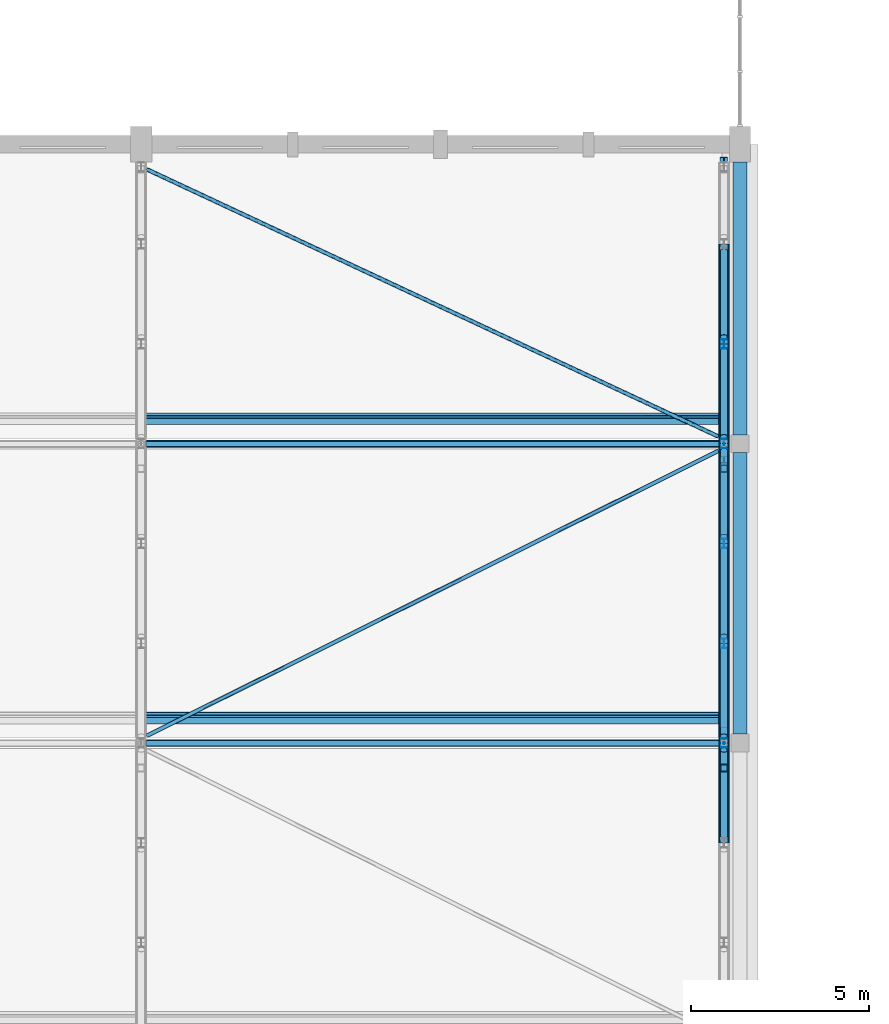
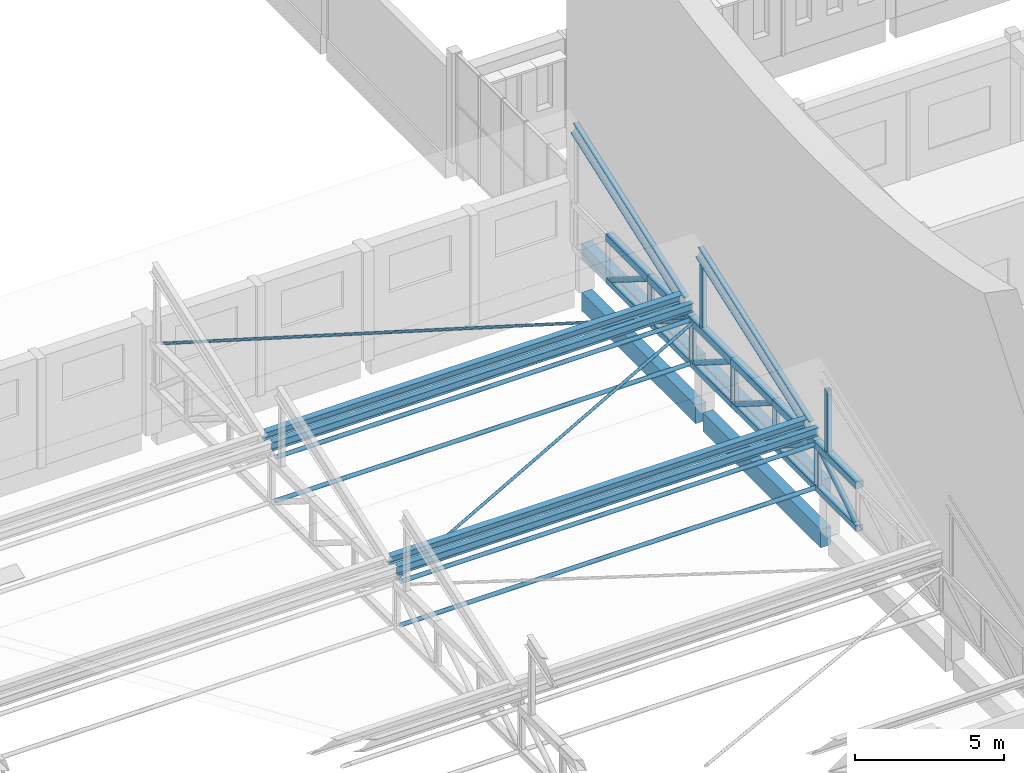
# One storey, part 35 of 101: 35 members, 6 beams.
"""IFC4 building model written with IfcOpenShell, lengths in metres."""

import ifcopenshell
import ifcopenshell.guid

model = None  # the IFC model being written
_history = None  # IfcOwnerHistory: only IFC2X3 demands one
_inside = {}  # id of a spatial element -> (the spatial element, [elements in it])
_under = {}  # id of a project, library or spatial element -> (it, [spatial elements below it])
_declared = {}  # id of a project -> (the project, [libraries it declares])
_typed = {}  # id of a type object -> (the type object, [elements of that type])
_made_of = {}  # id of a material, layer set ... -> (it, [elements and type objects made of it])


def new_model(schema):
    """Start an empty IFC model of exactly this schema.

    Asked for "IFC4X3", IfcOpenShell would pick the latest addendum, in which some entities
    have other attributes; the version numbers below select the first issue.
    IFC2X3 requires an IfcOwnerHistory on every rooted entity: one is made here for all.
    """
    global model, _history
    if schema == "IFC4X3":
        model = ifcopenshell.file(schema_version=(4, 3, 0, 0))
    else:
        model = ifcopenshell.file(schema=schema)
    _inside.clear()
    _under.clear()
    _declared.clear()
    _typed.clear()
    _made_of.clear()
    _history = None
    if model.schema == "IFC2X3":
        org = make("IfcOrganization", Name="unknown")
        user = make(
            "IfcPersonAndOrganization",
            ThePerson=make("IfcPerson", FamilyName="unknown"),
            TheOrganization=org,
        )
        app = make(
            "IfcApplication",
            ApplicationDeveloper=org,
            Version="unknown",
            ApplicationFullName="unknown",
            ApplicationIdentifier="unknown",
        )
        _history = make(
            "IfcOwnerHistory",
            OwningUser=user,
            OwningApplication=app,
            ChangeAction="ADDED",
            CreationDate=0,
        )
    return model


def make(cls, **values):
    """One entity of the class cls with the attributes given. An attribute that is None is left unset."""
    return model.create_entity(
        cls, **{name: value for name, value in values.items() if value is not None}
    )


def rooted(cls, **values):
    """An entity with a GlobalId (a new one), such as an element, a storey or a relation."""
    return make(cls, GlobalId=ifcopenshell.guid.new(), OwnerHistory=_history, **values)


def si_unit(unit_type, name, prefix=None):
    """IfcSIUnit, for example si_unit("LENGTHUNIT", "METRE", prefix="MILLI")."""
    return make("IfcSIUnit", UnitType=unit_type, Prefix=prefix, Name=name)


def assignment(units):
    """IfcUnitAssignment: the units of a project."""
    return None if units is None else make("IfcUnitAssignment", Units=units)


def point(xyz):
    """IfcCartesianPoint."""
    return None if xyz is None else make("IfcCartesianPoint", Coordinates=xyz)


def direction(xyz):
    """IfcDirection."""
    return None if xyz is None else make("IfcDirection", DirectionRatios=xyz)


def frame(location, z_axis=None, x_axis=None):
    """IfcAxis2Placement3D, a coordinate frame: its origin and axes. An axis left out is left unset."""
    return make(
        "IfcAxis2Placement3D",
        Location=point(location),
        Axis=direction(z_axis),
        RefDirection=direction(x_axis),
    )


def frame_2d(location, x_axis=None):
    """IfcAxis2Placement2D, a coordinate frame in the plane: its origin and x axis."""
    return make(
        "IfcAxis2Placement2D", Location=point(location), RefDirection=direction(x_axis)
    )


def origin():
    """The frame at (0, 0, 0) with its axes left unset."""
    return frame((0.0, 0.0, 0.0))


def origin_2d():
    """The frame at (0, 0) in the plane with its x axis left unset."""
    return frame_2d((0.0, 0.0))


def place(relative_to, where):
    """IfcLocalPlacement: puts the frame where relative to a parent placement (None: the world)."""
    return make(
        "IfcLocalPlacement", PlacementRelTo=relative_to, RelativePlacement=where
    )


def context(
    kind, dimensions, precision=None, world=None, true_north=None, identifier=None
):
    """IfcGeometricRepresentationContext, for example the 3D "Model" context."""
    return make(
        "IfcGeometricRepresentationContext",
        ContextIdentifier=identifier,
        ContextType=kind,
        CoordinateSpaceDimension=dimensions,
        Precision=precision,
        WorldCoordinateSystem=world,
        TrueNorth=true_north,
    )


def subcontext(parent, identifier, kind, view, scale=None):
    """IfcGeometricRepresentationSubContext, for example "Body" below "Model"."""
    return make(
        "IfcGeometricRepresentationSubContext",
        ContextIdentifier=identifier,
        ContextType=kind,
        ParentContext=parent,
        TargetScale=scale,
        TargetView=view,
    )


def project(units=None, contexts=None):
    """IfcProject with its units and contexts."""
    return rooted(
        "IfcProject",
        Name="project",
        RepresentationContexts=contexts,
        UnitsInContext=assignment(units),
    )


def spatial(cls, under=None, at=None, **own):
    """A site, building, storey or space (cls), placed at a placement, below another one or the project."""
    s = rooted(cls, ObjectPlacement=at, **own)
    if under is not None:
        _under.setdefault(under.id(), (under, []))[1].append(s)
    return s


def profile(cls, at=None, kind="AREA", **sizes):
    """A parametric profile (cls). Its sizes go by their IFC names, for example OverallWidth=200.0."""
    return make(cls, ProfileType=kind, Position=at, **sizes)


def rectangle(**sizes):
    """IfcRectangleProfileDef."""
    return profile("IfcRectangleProfileDef", **sizes)


def hollow_rectangle(**sizes):
    """IfcRectangleHollowProfileDef."""
    return profile("IfcRectangleHollowProfileDef", **sizes)


def hollow_circle(**sizes):
    """IfcCircleHollowProfileDef."""
    return profile("IfcCircleHollowProfileDef", **sizes)


def i_section(**sizes):
    """IfcIShapeProfileDef."""
    return profile("IfcIShapeProfileDef", **sizes)


def extrude(swept, where, along, depth):
    """IfcExtrudedAreaSolid: the profile swept, set in the frame where, extruded along a direction by depth."""
    return make(
        "IfcExtrudedAreaSolid",
        SweptArea=swept,
        Position=where,
        ExtrudedDirection=direction(along),
        Depth=depth,
    )


def shape(context_of_items, identifier, shape_type, items):
    """IfcShapeRepresentation: the items that make up one representation, for example the "Body"."""
    return make(
        "IfcShapeRepresentation",
        ContextOfItems=context_of_items,
        RepresentationIdentifier=identifier,
        RepresentationType=shape_type,
        Items=items,
    )


def material(Name=None, Category=None):
    """IfcMaterial."""
    return make("IfcMaterial", Name=Name, Category=Category)


def material_profile(
    of_material, cross_section, Name=None, Category=None, Priority=None
):
    """IfcMaterialProfile: a cross section and its material."""
    return make(
        "IfcMaterialProfile",
        Name=Name,
        Material=of_material,
        Profile=cross_section,
        Priority=Priority,
        Category=Category,
    )


def profile_set(profiles, Name=None, composite=None):
    """IfcMaterialProfileSet."""
    return make(
        "IfcMaterialProfileSet",
        Name=Name,
        MaterialProfiles=profiles,
        CompositeProfile=composite,
    )


def made_of(thing, what):
    """Note that an element or type object is made of a material, layer set ...; save() writes the relation."""
    if what is not None:
        _made_of.setdefault(what.id(), (what, []))[1].append(thing)
    return thing


def type_object(cls, material=None, **own):
    """A type object (cls), such as IfcWallType, which elements share."""
    return made_of(rooted(cls, **own), material)


def element(
    cls,
    number,
    at=None,
    inside=None,
    cuts=None,
    type_object=None,
    material=None,
    context=None,
    identifier="Body",
    shape_type=None,
    held_by="IfcProductDefinitionShape",
    body=None,
    shapes=None,
    **own,
):
    """One element of the class cls, such as IfcWall. Its Tag is "e" and its number.

    at: its placement. inside: the storey or other place that contains it. cuts: it is an
    opening in that element (IfcRelVoidsElement). A single representation is given by context,
    identifier, shape_type and body (its items); several are given by shapes. held_by: the class
    of the entity that holds the representations. save() writes the other relations.
    """
    e = rooted(cls, Tag="e%d" % number, ObjectPlacement=at, **own)
    if body is not None:
        shapes = [shape(context, identifier, shape_type, body)]
    if shapes is not None:
        e.Representation = make(held_by, Representations=shapes)
    if inside is not None:
        _inside.setdefault(inside.id(), (inside, []))[1].append(e)
    if cuts is not None:
        rooted(
            "IfcRelVoidsElement", RelatingBuildingElement=cuts, RelatedOpeningElement=e
        )
    if type_object is not None:
        _typed.setdefault(type_object.id(), (type_object, []))[1].append(e)
    return made_of(e, material)


def aggregate(whole, parts):
    """IfcRelAggregates: a whole, such as a stair, and the parts it consists of."""
    return rooted("IfcRelAggregates", RelatingObject=whole, RelatedObjects=parts)


def save(model, path):
    """Write the relations noted so far, then the file.

    IfcRelAggregates (storeys below a building ...), IfcRelContainedInSpatialStructure (elements
    in a storey), IfcRelDefinesByType, IfcRelAssociatesMaterial and IfcRelDeclares: one each for
    every whole, place, type object, material and project.
    """
    for whole, parts in _under.values():
        aggregate(whole, parts)
    for where, things in _inside.values():
        rooted(
            "IfcRelContainedInSpatialStructure",
            RelatedElements=things,
            RelatingStructure=where,
        )
    for kind, things in _typed.values():
        rooted("IfcRelDefinesByType", RelatedObjects=things, RelatingType=kind)
    for what, things in _made_of.values():
        rooted("IfcRelAssociatesMaterial", RelatedObjects=things, RelatingMaterial=what)
    for by, libraries in _declared.values():
        rooted("IfcRelDeclares", RelatingContext=by, RelatedDefinitions=libraries)
    model.write(path)


model = new_model("IFC4")

# Units and contexts
model_context = context("Model", 3, precision=1e-05, world=origin(), true_north=direction((0.0, 1.0)))
body_context = subcontext(model_context, "Body", "Model", "MODEL_VIEW")
ifc_project = project(units=[si_unit("LENGTHUNIT", "METRE"), si_unit("AREAUNIT", "SQUARE_METRE"), si_unit("VOLUMEUNIT", "CUBIC_METRE"), si_unit("PLANEANGLEUNIT", "RADIAN"), si_unit("MASSUNIT", "GRAM", prefix="KILO")], contexts=[model_context])

# Site, building, storey
site_placement = place(None, origin())
site = spatial("IfcSite", under=ifc_project, at=site_placement, CompositionType="ELEMENT")
building_placement = place(site_placement, origin())
building = spatial("IfcBuilding", under=site, at=building_placement, Name="Fescue Hill Polytechnic", CompositionType="ELEMENT")
storey_placement = place(building_placement, frame((0.0, 0.0, 9.0)))
storey = spatial("IfcBuildingStorey", under=building, at=storey_placement, Name="L02", CompositionType="ELEMENT", Elevation=9.0)

# Beams
ifc_material_1 = material(Name="Concrete 35 MPa", Category="concrete")
ifc_material_profile_1 = material_profile(ifc_material_1, rectangle(XDim=0.39990234375, YDim=0.60009765625, at=origin_2d()), Name="RC 400x600")
ifc_profile_set_1 = profile_set([ifc_material_profile_1], Name="Concrete 35 MPa")
beam_type_1 = type_object("IfcBeamType", Name="Beam RC 400x600", PredefinedType="BEAM", material=ifc_profile_set_1)
beam_1_placement = place(storey_placement, frame((117.60009765625, 33.85009765625, 1.699951171875), z_axis=(0.0, 1.0, 0.0), x_axis=(-1.0, 0.0, 0.0)))
element("IfcBeam", 1, at=beam_1_placement, inside=storey, type_object=beam_type_1, Name="Hall east gable crest beam 3", PredefinedType="BEAM", context=body_context, shape_type="SweptSolid", body=[
    extrude(rectangle(XDim=0.39990234375, YDim=0.60009765625, at=origin_2d()), origin(), (0.0, 0.0, 1.0), 7.89990234375),
])
beam_2_placement = place(storey_placement, frame((117.60009765625, 42.25, 1.699951171875), z_axis=(0.0, 1.0, 0.0), x_axis=(-1.0, 0.0, 0.0)))
element("IfcBeam", 2, at=beam_2_placement, inside=storey, type_object=beam_type_1, Name="Hall east gable crest beam 4", PredefinedType="BEAM", context=body_context, shape_type="SweptSolid", body=[
    extrude(rectangle(XDim=0.39990234375, YDim=0.60009765625, at=origin_2d()), origin(), (0.0, 0.0, 1.0), 7.64990234375),
])
ifc_material_profile_2 = material_profile(ifc_material_1, rectangle(XDim=0.39990234375, YDim=0.75, at=origin_2d()), Name="RC 400x750")
ifc_profile_set_2 = profile_set([ifc_material_profile_2], Name="Concrete 35 MPa")
beam_type_2 = type_object("IfcBeamType", Name="Beam RC 400x750", PredefinedType="BEAM", material=ifc_profile_set_2)
beam_3_placement = place(storey_placement, frame((117.60009765625, 33.85009765625, -0.375), z_axis=(0.0, 1.0, 0.0), x_axis=(-1.0, 0.0, 0.0)))
element("IfcBeam", 3, at=beam_3_placement, inside=storey, type_object=beam_type_2, Name="BM-L02-0176", PredefinedType="BEAM", context=body_context, shape_type="SweptSolid", body=[
    extrude(rectangle(XDim=0.39990234375, YDim=0.75, at=origin_2d()), origin(), (0.0, 0.0, 1.0), 7.89990234375),
])
beam_4_placement = place(storey_placement, frame((117.60009765625, 42.25, -0.375), z_axis=(0.0, 1.0, 0.0), x_axis=(-1.0, 0.0, 0.0)))
element("IfcBeam", 4, at=beam_4_placement, inside=storey, type_object=beam_type_2, Name="BM-L02-0177", PredefinedType="BEAM", context=body_context, shape_type="SweptSolid", body=[
    extrude(rectangle(XDim=0.39990234375, YDim=0.75, at=origin_2d()), origin(), (0.0, 0.0, 1.0), 7.64990234375),
])

# Members
ifc_material_2 = material(Name="Steel 350W (350 MPa)", Category="steel")
ifc_material_profile_3 = material_profile(ifc_material_2, hollow_circle(Radius=0.05712890625, WallThickness=0.00634765625, at=origin_2d()), Name="Hall roof plan brace CHS 114x6.4")
ifc_profile_set_3 = profile_set([ifc_material_profile_3], Name="Steel 350W (350 MPa)")
member_type_1 = type_object("IfcMemberType", Name="Hall roof plan brace CHS 114x6.4", PredefinedType="BRACE", material=ifc_profile_set_3)
member_1_placement = place(storey_placement, frame((100.952392578125, 33.800048828125, 3.783447265625), z_axis=(0.894930456657, 0.446205645132, 0.0), x_axis=(-0.446205645132, 0.894930456657, 0.0)))
element("IfcMember", 5, at=member_1_placement, inside=storey, type_object=member_type_1, Name="Roof plan brace bay 7 panel 3", PredefinedType="BRACE", context=body_context, shape_type="SweptSolid", body=[
    extrude(hollow_circle(Radius=0.05712890625, WallThickness=0.00634765625, at=origin_2d()), origin(), (0.0, 0.0, 1.0), 17.928955078125),
])
member_2_placement = place(storey_placement, frame((100.952392578125, 49.699951171875, 3.783447265625), z_axis=(0.905917790199, -0.423453607141, 0.0), x_axis=(0.423453607141, 0.905917790199, 0.0)))
element("IfcMember", 6, at=member_2_placement, inside=storey, type_object=member_type_1, Name="Roof plan brace bay 7 panel 4", PredefinedType="BRACE", context=body_context, shape_type="SweptSolid", body=[
    extrude(hollow_circle(Radius=0.05712890625, WallThickness=0.00634765625, at=origin_2d()), origin(), (0.0, 0.0, 1.0), 17.71142578125),
])
ifc_material_profile_4 = material_profile(ifc_material_2, hollow_rectangle(XDim=0.25390625, YDim=0.25390625, WallThickness=0.0126953125, InnerFilletRadius=0.0126953125, OuterFilletRadius=0.025390625, at=origin_2d()), Name="Hall truss bottom chord HSS 254x254x13")
ifc_profile_set_4 = profile_set([ifc_material_profile_4], Name="Steel 350W (350 MPa)")
member_type_2 = type_object("IfcMemberType", Name="Hall truss bottom chord HSS 254x254x13", PredefinedType="CHORD", material=ifc_profile_set_4)
member_3_placement = place(storey_placement, frame((117.14990234375, 30.800048828125, 2.0), z_axis=(0.0, 1.0, 0.0), x_axis=(-1.0, 0.0, 0.0)))
element("IfcMember", 7, at=member_3_placement, inside=storey, type_object=member_type_2, Name="Truss TR8 bottom chord 6", PredefinedType="CHORD", context=body_context, shape_type="SweptSolid", body=[
    extrude(hollow_rectangle(XDim=0.25390625, YDim=0.25390625, WallThickness=0.0126953125, InnerFilletRadius=0.0126953125, OuterFilletRadius=0.025390625, at=origin_2d()), origin(), (0.0, 0.0, 1.0), 2.800048828125),
])
member_4_placement = place(storey_placement, frame((117.14990234375, 33.60009765625, 2.0), z_axis=(0.0, 1.0, 0.0), x_axis=(-1.0, 0.0, 0.0)))
element("IfcMember", 8, at=member_4_placement, inside=storey, type_object=member_type_2, Name="Truss TR8 bottom chord 7", PredefinedType="CHORD", context=body_context, shape_type="SweptSolid", body=[
    extrude(hollow_rectangle(XDim=0.25390625, YDim=0.25390625, WallThickness=0.0126953125, InnerFilletRadius=0.0126953125, OuterFilletRadius=0.025390625, at=origin_2d()), origin(), (0.0, 0.0, 1.0), 2.7998046875),
])
for number, where, z_axis, x_axis, name in (
    (9, (117.14990234375, 36.39990234375, 2.0), (0.0, 1.0, 0.0), (-1.0, 0.0, 0.0), "Truss TR8 bottom chord 8"),
    (10, (117.14990234375, 39.199951171875, 2.0), (0.0, 1.0, 0.0), (-1.0, 0.0, 0.0), "Truss TR8 bottom chord 9"),
    (11, (117.14990234375, 42.0, 2.0), (0.0, 1.0, 0.0), (-1.0, 0.0, 0.0), "Truss TR8 bottom chord 10"),
    (12, (117.14990234375, 44.800048828125, 2.0), (0.0, 1.0, 0.0), (-1.0, 0.0, 0.0), "Truss TR8 bottom chord 11"),
):
    element("IfcMember", number, at=place(storey_placement, frame(where, z_axis=z_axis, x_axis=x_axis)), inside=storey, type_object=member_type_2, Name=name, PredefinedType="CHORD", context=body_context, shape_type="SweptSolid", body=[
        extrude(hollow_rectangle(XDim=0.25390625, YDim=0.25390625, WallThickness=0.0126953125, InnerFilletRadius=0.0126953125, OuterFilletRadius=0.025390625, at=origin_2d()), origin(), (0.0, 0.0, 1.0), 2.800048828125),
    ])
ifc_material_profile_5 = material_profile(ifc_material_2, hollow_circle(Radius=0.109619140625, WallThickness=0.009521484375, at=origin_2d()), Name="Hall truss diagonal CHS 219x9.5")
ifc_profile_set_5 = profile_set([ifc_material_profile_5], Name="Steel 350W (350 MPa)")
member_type_3 = type_object("IfcMemberType", Name="Hall truss diagonal CHS 219x9.5", PredefinedType="BRACE", material=ifc_profile_set_5)
for number, where, z_axis, x_axis, name in (
    (13, (117.14990234375, 31.0, 2.126953125), (0.0, 0.847329350891, 0.531067765091), (-1.0, 0.0, 0.0), "Truss TR8 diagonal 6"),
    (14, (117.14990234375, 33.800048828125, 3.631103515625), (0.0, 0.847329350891, -0.531067765091), (-1.0, 0.0, 0.0), "Truss TR8 diagonal 7"),
    (15, (117.14990234375, 36.60009765625, 3.631103515625), (0.0, 0.847329350891, -0.531067765091), (-1.0, 0.0, 0.0), "Truss TR8 diagonal 8"),
):
    element("IfcMember", number, at=place(storey_placement, frame(where, z_axis=z_axis, x_axis=x_axis)), inside=storey, type_object=member_type_3, Name=name, PredefinedType="BRACE", context=body_context, shape_type="SweptSolid", body=[
        extrude(hollow_circle(Radius=0.109619140625, WallThickness=0.009521484375, at=origin_2d()), origin(), (0.0, 0.0, 1.0), 2.832275390625),
    ])
for number, where, z_axis, x_axis, name in (
    (16, (117.14990234375, 39.39990234375, 3.631103515625), (0.0, 0.847353658992, -0.531028979051), (-1.0, 0.0, 0.0), "Truss TR8 diagonal 9"),
    (17, (117.14990234375, 42.199951171875, 3.631103515625), (0.0, 0.847353658992, -0.531028979051), (-1.0, 0.0, 0.0), "Truss TR8 diagonal 10"),
):
    element("IfcMember", number, at=place(storey_placement, frame(where, z_axis=z_axis, x_axis=x_axis)), inside=storey, type_object=member_type_3, Name=name, PredefinedType="BRACE", context=body_context, shape_type="SweptSolid", body=[
        extrude(hollow_circle(Radius=0.109619140625, WallThickness=0.009521484375, at=origin_2d()), origin(), (0.0, 0.0, 1.0), 2.83251953125),
    ])
member_5_placement = place(storey_placement, frame((117.14990234375, 45.0, 3.631103515625), z_axis=(0.0, 0.847329350891, -0.531067765091), x_axis=(-1.0, 0.0, 0.0)))
element("IfcMember", 18, at=member_5_placement, inside=storey, type_object=member_type_3, Name="Truss TR8 diagonal 11", PredefinedType="BRACE", context=body_context, shape_type="SweptSolid", body=[
    extrude(hollow_circle(Radius=0.109619140625, WallThickness=0.009521484375, at=origin_2d()), origin(), (0.0, 0.0, 1.0), 2.832275390625),
])
ifc_material_profile_6 = material_profile(ifc_material_2, i_section(OverallWidth=0.14794921875, OverallDepth=0.26611328125, WebThickness=0.007568359375, FlangeThickness=0.012939453125, FilletRadius=0.013916015625, at=origin_2d()), Name="W250x45")
ifc_profile_set_6 = profile_set([ifc_material_profile_6], Name="Steel 350W (350 MPa)")
member_type_4 = type_object("IfcMemberType", Name="Hall truss post W250x45", PredefinedType="POST", material=ifc_profile_set_6)
for number, where, z_axis, x_axis, name in (
    (19, (117.14990234375, 33.60009765625, 2.126953125), (0.0, 0.0, 1.0), (1.0, 0.0, 0.0), "Truss TR8 post 7"),
    (20, (117.14990234375, 36.39990234375, 2.126953125), (0.0, 0.0, 1.0), (1.0, 0.0, 0.0), "Truss TR8 post 8"),
    (21, (117.14990234375, 39.199951171875, 2.126953125), (0.0, 0.0, 1.0), (1.0, 0.0, 0.0), "Truss TR8 post 9"),
    (22, (117.14990234375, 42.0, 2.126953125), (0.0, 0.0, 1.0), (1.0, 0.0, 0.0), "Truss TR8 post 10"),
    (23, (117.14990234375, 44.800048828125, 2.126953125), (0.0, 0.0, 1.0), (1.0, 0.0, 0.0), "Truss TR8 post 11"),
):
    element("IfcMember", number, at=place(storey_placement, frame(where, z_axis=z_axis, x_axis=x_axis)), inside=storey, type_object=member_type_4, Name=name, PredefinedType="POST", context=body_context, shape_type="SweptSolid", body=[
        extrude(i_section(OverallWidth=0.14794921875, OverallDepth=0.26611328125, WebThickness=0.007568359375, FlangeThickness=0.012939453125, FilletRadius=0.013916015625, at=origin_2d()), origin(), (0.0, 0.0, 1.0), 1.504150390625),
    ])
ifc_material_profile_7 = material_profile(ifc_material_2, hollow_circle(Radius=0.084228515625, WallThickness=0.009521484375, at=origin_2d()), Name="Hall truss tie strut CHS 168x9.5")
ifc_profile_set_7 = profile_set([ifc_material_profile_7], Name="Steel 350W (350 MPa)")
member_type_5 = type_object("IfcMemberType", Name="Hall truss tie strut CHS 168x9.5", PredefinedType="STRUT", material=ifc_profile_set_7)
member_6_placement = place(storey_placement, frame((100.952392578125, 33.60009765625, 3.783447265625), z_axis=(1.0, 0.0, 0.0), x_axis=(0.0, 1.0, 0.0)))
element("IfcMember", 24, at=member_6_placement, inside=storey, type_object=member_type_5, Name="Top chord tie strut bay 7 line 2", PredefinedType="STRUT", context=body_context, shape_type="SweptSolid", body=[
    extrude(hollow_circle(Radius=0.084228515625, WallThickness=0.009521484375, at=origin_2d()), origin(), (0.0, 0.0, 1.0), 16.045166015625),
])
member_7_placement = place(storey_placement, frame((100.927001953125, 33.60009765625, 2.0), z_axis=(1.0, 0.0, 0.0), x_axis=(0.0, 1.0, 0.0)))
element("IfcMember", 25, at=member_7_placement, inside=storey, type_object=member_type_5, Name="Bottom chord tie strut bay 7 line 2", PredefinedType="STRUT", context=body_context, shape_type="SweptSolid", body=[
    extrude(hollow_circle(Radius=0.084228515625, WallThickness=0.009521484375, at=origin_2d()), origin(), (0.0, 0.0, 1.0), 16.095947265625),
])
member_8_placement = place(storey_placement, frame((100.952392578125, 42.0, 3.783447265625), z_axis=(1.0, 0.0, 0.0), x_axis=(0.0, 1.0, 0.0)))
element("IfcMember", 26, at=member_8_placement, inside=storey, type_object=member_type_5, Name="Top chord tie strut bay 7 line 3", PredefinedType="STRUT", context=body_context, shape_type="SweptSolid", body=[
    extrude(hollow_circle(Radius=0.084228515625, WallThickness=0.009521484375, at=origin_2d()), origin(), (0.0, 0.0, 1.0), 16.045166015625),
])
member_9_placement = place(storey_placement, frame((100.927001953125, 42.0, 2.0), z_axis=(1.0, 0.0, 0.0), x_axis=(0.0, 1.0, 0.0)))
element("IfcMember", 27, at=member_9_placement, inside=storey, type_object=member_type_5, Name="Bottom chord tie strut bay 7 line 3", PredefinedType="STRUT", context=body_context, shape_type="SweptSolid", body=[
    extrude(hollow_circle(Radius=0.084228515625, WallThickness=0.009521484375, at=origin_2d()), origin(), (0.0, 0.0, 1.0), 16.095947265625),
])
ifc_material_profile_8 = material_profile(ifc_material_2, hollow_rectangle(XDim=0.3046875, YDim=0.3046875, WallThickness=0.0126953125, InnerFilletRadius=0.0126953125, OuterFilletRadius=0.025390625, at=origin_2d()), Name="Hall truss top chord HSS 305x305x13")
ifc_profile_set_8 = profile_set([ifc_material_profile_8], Name="Steel 350W (350 MPa)")
member_type_6 = type_object("IfcMemberType", Name="Hall truss top chord HSS 305x305x13", PredefinedType="CHORD", material=ifc_profile_set_8)
member_10_placement = place(storey_placement, frame((117.14990234375, 30.800048828125, 3.783447265625), z_axis=(0.0, 1.0, 0.0), x_axis=(-1.0, 0.0, 0.0)))
element("IfcMember", 28, at=member_10_placement, inside=storey, type_object=member_type_6, Name="Truss TR8 top chord 6", PredefinedType="CHORD", context=body_context, shape_type="SweptSolid", body=[
    extrude(hollow_rectangle(XDim=0.3046875, YDim=0.3046875, WallThickness=0.0126953125, InnerFilletRadius=0.0126953125, OuterFilletRadius=0.025390625, at=origin_2d()), origin(), (0.0, 0.0, 1.0), 2.800048828125),
])
member_11_placement = place(storey_placement, frame((117.14990234375, 33.60009765625, 3.783447265625), z_axis=(0.0, 1.0, 0.0), x_axis=(-1.0, 0.0, 0.0)))
element("IfcMember", 29, at=member_11_placement, inside=storey, type_object=member_type_6, Name="Truss TR8 top chord 7", PredefinedType="CHORD", context=body_context, shape_type="SweptSolid", body=[
    extrude(hollow_rectangle(XDim=0.3046875, YDim=0.3046875, WallThickness=0.0126953125, InnerFilletRadius=0.0126953125, OuterFilletRadius=0.025390625, at=origin_2d()), origin(), (0.0, 0.0, 1.0), 2.7998046875),
])
for number, where, z_axis, x_axis, name in (
    (30, (117.14990234375, 36.39990234375, 3.783447265625), (0.0, 1.0, 0.0), (-1.0, 0.0, 0.0), "Truss TR8 top chord 8"),
    (31, (117.14990234375, 39.199951171875, 3.783447265625), (0.0, 1.0, 0.0), (-1.0, 0.0, 0.0), "Truss TR8 top chord 9"),
    (32, (117.14990234375, 42.0, 3.783447265625), (0.0, 1.0, 0.0), (-1.0, 0.0, 0.0), "Truss TR8 top chord 10"),
    (33, (117.14990234375, 44.800048828125, 3.783447265625), (0.0, 1.0, 0.0), (-1.0, 0.0, 0.0), "Truss TR8 top chord 11"),
):
    element("IfcMember", number, at=place(storey_placement, frame(where, z_axis=z_axis, x_axis=x_axis)), inside=storey, type_object=member_type_6, Name=name, PredefinedType="CHORD", context=body_context, shape_type="SweptSolid", body=[
        extrude(hollow_rectangle(XDim=0.3046875, YDim=0.3046875, WallThickness=0.0126953125, InnerFilletRadius=0.0126953125, OuterFilletRadius=0.025390625, at=origin_2d()), origin(), (0.0, 0.0, 1.0), 2.800048828125),
    ])
ifc_material_profile_9 = material_profile(ifc_material_2, i_section(OverallWidth=0.18994140625, OverallDepth=0.45703125, WebThickness=0.009033203125, FlangeThickness=0.014404296875, FilletRadius=0.0166015625, at=origin_2d()), Name="W460x74")
ifc_profile_set_9 = profile_set([ifc_material_profile_9], Name="Steel 350W (350 MPa)")
member_type_7 = type_object("IfcMemberType", Name="Tooth purlin W460x74", PredefinedType="PURLIN", material=ifc_profile_set_9)
for number, where, z_axis, x_axis, name in (
    (34, (100.904541015625, 34.300048828125, 4.294921875), (1.0, 0.0, 0.0), (0.0, 0.941741911595, 0.336336396997), "Tooth 3 purlin 1 bay 7"),
    (35, (100.904541015625, 42.699951171875, 4.294921875), (1.0, 0.0, 0.0), (0.0, 0.941741911595, 0.336336396997), "Tooth 4 purlin 1 bay 7"),
):
    element("IfcMember", number, at=place(storey_placement, frame(where, z_axis=z_axis, x_axis=x_axis)), inside=storey, type_object=member_type_7, Name=name, PredefinedType="PURLIN", context=body_context, shape_type="SweptSolid", body=[
        extrude(i_section(OverallWidth=0.18994140625, OverallDepth=0.45703125, WebThickness=0.009033203125, FlangeThickness=0.014404296875, FilletRadius=0.0166015625, at=origin_2d()), origin(), (0.0, 0.0, 1.0), 16.140869140625),
    ])
ifc_material_profile_10 = material_profile(ifc_material_2, i_section(OverallWidth=0.208984375, OverallDepth=0.532958984375, WebThickness=0.01025390625, FlangeThickness=0.015625, FilletRadius=0.016357421875, at=origin_2d()), Name="W530x92")
ifc_profile_set_10 = profile_set([ifc_material_profile_10], Name="Steel 350W (350 MPa)")
member_type_8 = type_object("IfcMemberType", Name="Tooth rafter W530x92", PredefinedType="RAFTER", material=ifc_profile_set_10)
for number, where, z_axis, x_axis, name in (
    (36, (117.14990234375, 34.1103515625, 4.18701171875), (0.0, 0.941744009147, 0.336330523793), (-1.0, 0.0, 0.0), "Tooth 3 rafter on TR8"),
    (37, (117.14990234375, 42.51025390625, 4.18701171875), (0.0, 0.941744009147, 0.336330523793), (-1.0, 0.0, 0.0), "Tooth 4 rafter on TR8"),
):
    element("IfcMember", number, at=place(storey_placement, frame(where, z_axis=z_axis, x_axis=x_axis)), inside=storey, type_object=member_type_8, Name=name, PredefinedType="RAFTER", context=body_context, shape_type="SweptSolid", body=[
        extrude(i_section(OverallWidth=0.208984375, OverallDepth=0.532958984375, WebThickness=0.01025390625, FlangeThickness=0.015625, FilletRadius=0.016357421875, at=origin_2d()), origin(), (0.0, 0.0, 1.0), 7.89990234375),
    ])
ifc_material_profile_11 = material_profile(ifc_material_2, hollow_rectangle(XDim=0.203125, YDim=0.203125, WallThickness=0.009521484375, InnerFilletRadius=0.009521484375, OuterFilletRadius=0.01904296875, at=origin_2d()), Name="Tooth ridge post HSS 203x203x9.5")
ifc_profile_set_11 = profile_set([ifc_material_profile_11], Name="Steel 350W (350 MPa)")
member_type_9 = type_object("IfcMemberType", Name="Tooth ridge post HSS 203x203x9.5", PredefinedType="POST", material=ifc_profile_set_11)
for number, where, z_axis, x_axis, name in (
    (38, (117.14990234375, 32.89990234375, 3.93603515625), (0.0, 0.0, 1.0), (1.0, 0.0, 0.0), "Tooth 2 ridge post on TR8"),
    (39, (117.14990234375, 41.300048828125, 3.93603515625), (0.0, 0.0, 1.0), (1.0, 0.0, 0.0), "Tooth 3 ridge post on TR8"),
):
    element("IfcMember", number, at=place(storey_placement, frame(where, z_axis=z_axis, x_axis=x_axis)), inside=storey, type_object=member_type_9, Name=name, PredefinedType="POST", context=body_context, shape_type="SweptSolid", body=[
        extrude(hollow_rectangle(XDim=0.203125, YDim=0.203125, WallThickness=0.009521484375, InnerFilletRadius=0.009521484375, OuterFilletRadius=0.01904296875, at=origin_2d()), origin(), (0.0, 0.0, 1.0), 2.499267578125),
    ])

# Beams
ifc_material_profile_12 = material_profile(ifc_material_2, i_section(OverallWidth=0.2041015625, OverallDepth=0.35009765625, WebThickness=0.008544921875, FlangeThickness=0.01513671875, FilletRadius=0.02197265625, at=origin_2d()), Name="W360x72")
ifc_profile_set_12 = profile_set([ifc_material_profile_12], Name="Steel 350W (350 MPa)")
beam_type_3 = type_object("IfcBeamType", Name="Valley gutter beam W360x72", PredefinedType="BEAM", material=ifc_profile_set_12)
for number, where, z_axis, x_axis, name in (
    (40, (100.800048828125, 33.60009765625, 4.324951171875), (1.0, 0.0, 0.0), (0.0, 1.0, 0.0), "Valley 3 gutter beam bay 7"),
    (41, (100.800048828125, 42.0, 4.324951171875), (1.0, 0.0, 0.0), (0.0, 1.0, 0.0), "Valley 4 gutter beam bay 7"),
):
    element("IfcBeam", number, at=place(storey_placement, frame(where, z_axis=z_axis, x_axis=x_axis)), inside=storey, type_object=beam_type_3, Name=name, PredefinedType="BEAM", context=body_context, shape_type="SweptSolid", body=[
        extrude(i_section(OverallWidth=0.2041015625, OverallDepth=0.35009765625, WebThickness=0.008544921875, FlangeThickness=0.01513671875, FilletRadius=0.02197265625, at=origin_2d()), origin(), (0.0, 0.0, 1.0), 16.349853515625),
    ])

save(model, "model.ifc")
